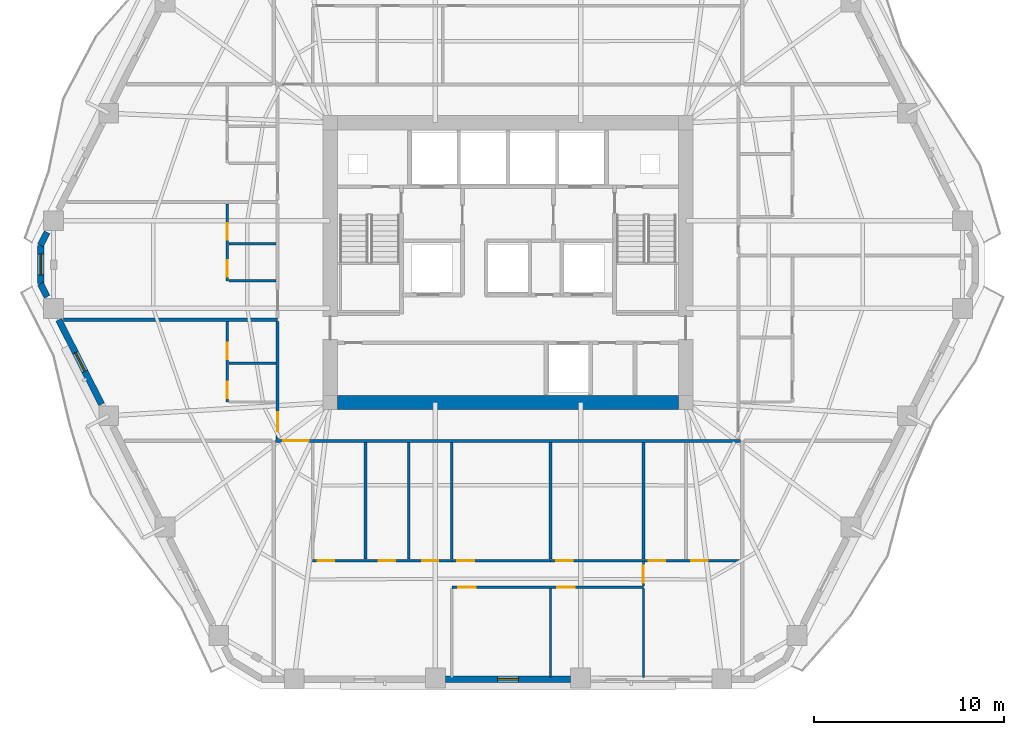
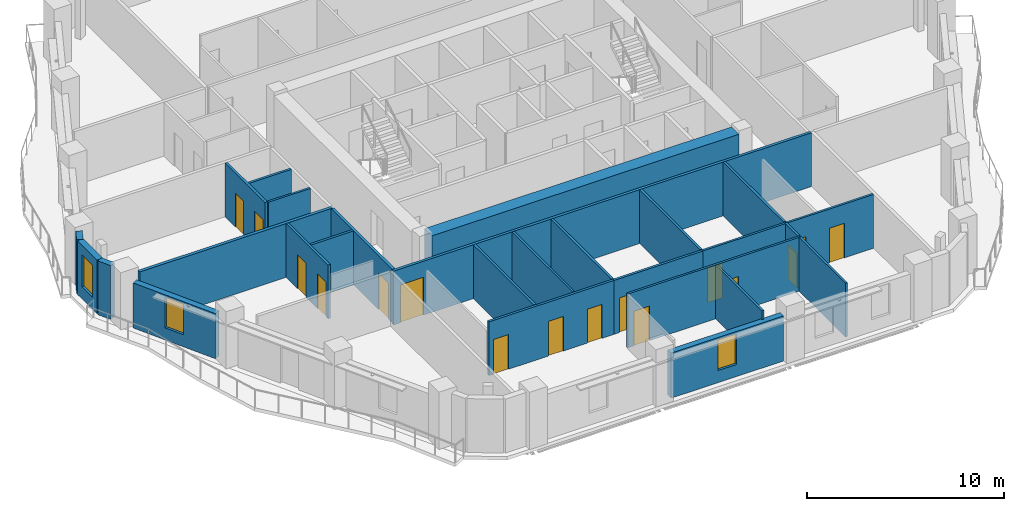
# One storey, part 4 of 12: 26 walls, 16 doors, 3 windows, 19 openings.
"""IFC4 building model written with IfcOpenShell, lengths in metres."""

from ifc_helpers import new_model, si_unit, direction, frame, frame_2d, origin, place, context, subcontext, project, spatial, rectangle, extrude, material, layer, layer_set, type_object, element, fill, save


model = new_model("IFC4")

# Units and contexts
model_context = context("Model", 3, precision=1e-05, world=origin(), true_north=direction((0.0, 1.0)))
body_context = subcontext(model_context, "Body", "Model", "MODEL_VIEW")
ifc_project = project(units=[si_unit("LENGTHUNIT", "METRE"), si_unit("AREAUNIT", "SQUARE_METRE"), si_unit("VOLUMEUNIT", "CUBIC_METRE"), si_unit("PLANEANGLEUNIT", "RADIAN"), si_unit("MASSUNIT", "GRAM", prefix="KILO")], contexts=[model_context])

# Site, building, storey
site_placement = place(None, origin())
site = spatial("IfcSite", under=ifc_project, at=site_placement, CompositionType="ELEMENT")
building_placement = place(site_placement, origin())
building = spatial("IfcBuilding", under=site, at=building_placement, Name="Cinnabar Lancet Tower", CompositionType="ELEMENT")
storey_placement = place(building_placement, frame((0.0, 0.0, 123.25)))
storey = spatial("IfcBuildingStorey", under=building, at=storey_placement, Name="L32", CompositionType="ELEMENT", Elevation=123.25)

# Wall, opening, door
ifc_material_1 = material(Name="Acoustic twin-stud gypsum partition", Category="gypsum")
ifc_layer_1 = layer(ifc_material_1, 0.159912109375)
ifc_layer_set_1 = layer_set([ifc_layer_1], Name="Acoustic twin-stud gypsum partition")
wall_type_1 = type_object("IfcWallType", Name="ARC-WL-CORR-160", PredefinedType="PARTITIONING", material=ifc_layer_set_1)
wall_1_placement = place(storey_placement, frame((20.14501953125, 16.5, 0.0), z_axis=(0.0, 0.0, 1.0), x_axis=(1.0, 0.0, 0.0)))
wall_1 = element("IfcWall", 1, at=wall_1_placement, inside=storey, type_object=wall_type_1, Name="L32 Unit S01 Corridor Wall", PredefinedType="PARTITIONING", context=body_context, shape_type="SweptSolid", body=[
    extrude(rectangle(XDim=24.510009765625, YDim=0.159912109375, at=frame_2d((12.2548828125, 0.0))), origin(), (0.0, 0.0, 1.0), 3.340087890625),
])
opening_1_placement = place(wall_1_placement, frame((0.405029296875, 0.0, 0.0)))
opening_1 = element("IfcOpeningElement", 2, at=opening_1_placement, cuts=wall_1, Name="Opening UD-02", PredefinedType="OPENING", context=body_context, shape_type="SweptSolid", body=[
    extrude(rectangle(XDim=1.35009765625, YDim=2.35009765625, at=frame_2d((0.675048828125, 1.175048828125))), frame((0.0, 0.08984375, 0.0), z_axis=(0.0, -1.0, 0.0), x_axis=(1.0, 0.0, 0.0)), (0.0, 0.0, 1.0), 0.179931640625),
])
ifc_material_2 = material(Name="Double-leaf solid timber penthouse entrance door", Category="wood")
door_type_1 = type_object("IfcDoorType", Name="ARC-DR-UNIT-PH", OperationType="NOTDEFINED", PredefinedType="DOOR", material=ifc_material_2)
door_1_placement = place(opening_1_placement, origin())
door_1 = element("IfcDoor", 3, at=door_1_placement, inside=storey, type_object=door_type_1, Name="DR-L32-S01-ENT", OperationType="SINGLE_SWING_LEFT", OverallHeight=2.35009765625, OverallWidth=1.35009765625, PredefinedType="DOOR", context=body_context, shape_type="SweptSolid", body=[
    extrude(rectangle(XDim=1.35009765625, YDim=2.35009765625, at=frame_2d((0.675048828125, 1.175048828125))), frame((0.0, 0.02490234375, 0.0), z_axis=(0.0, -1.0, 0.0), x_axis=(1.0, 0.0, 0.0)), (0.0, 0.0, 1.0), 0.050048828125),
])
fill(opening_1, door_1)

wall_2_placement = place(storey_placement, frame((20.25, 16.594970703125, 0.0), z_axis=(0.0, 0.0, 1.0), x_axis=(0.0, 1.0, 0.0)))
wall_2 = element("IfcWall", 4, at=wall_2_placement, inside=storey, type_object=wall_type_1, Name="UW-L32-W01-COR", PredefinedType="PARTITIONING", context=body_context, shape_type="SweptSolid", body=[
    extrude(rectangle(XDim=6.2021484375, YDim=0.159912109375, at=frame_2d((3.10107421875, 0.0))), origin(), (0.0, 0.0, 1.0), 3.340087890625),
])
opening_2_placement = place(wall_2_placement, frame((0.39990234375, 0.0, 0.0)))
opening_2 = element("IfcOpeningElement", 5, at=opening_2_placement, cuts=wall_2, Name="Opening UD-01", PredefinedType="OPENING", context=body_context, shape_type="SweptSolid", body=[
    extrude(rectangle(XDim=1.02001953125, YDim=2.25, at=frame_2d((0.510009765625, 1.125))), frame((0.0, 0.08984375, 0.0), z_axis=(0.0, -1.0, 0.0), x_axis=(1.0, 0.0, 0.0)), (0.0, 0.0, 1.0), 0.179931640625),
])
ifc_material_3 = material(Name="Solid timber fire-rated apartment entrance door", Category="wood")
door_type_2 = type_object("IfcDoorType", Name="ARC-DR-UNIT", OperationType="NOTDEFINED", PredefinedType="DOOR", material=ifc_material_3)
door_2_placement = place(opening_2_placement, origin())
door_2 = element("IfcDoor", 6, at=door_2_placement, inside=storey, type_object=door_type_2, Name="DR-L32-W01-ENT", OperationType="SINGLE_SWING_LEFT", OverallHeight=2.25, OverallWidth=1.02001953125, PredefinedType="DOOR", context=body_context, shape_type="SweptSolid", body=[
    extrude(rectangle(XDim=1.02001953125, YDim=2.25, at=frame_2d((0.510009765625, 1.125))), frame((0.0, 0.02490234375, 0.0), z_axis=(0.0, -1.0, 0.0), x_axis=(1.0, 0.0, 0.0)), (0.0, 0.0, 1.0), 0.050048828125),
])
fill(opening_2, door_2)

# Wall
ifc_material_4 = material(Name="Fire-rated twin-frame acoustic drywall", Category="gypsum")
ifc_layer_2 = layer(ifc_material_4, 0.179931640625)
ifc_layer_set_2 = layer_set([ifc_layer_2], Name="Fire-rated twin-frame acoustic drywall")
wall_type_2 = type_object("IfcWallType", Name="ARC-WL-PARTY-180", PredefinedType="PARTITIONING", material=ifc_layer_set_2)
wall_3_placement = place(storey_placement, frame((8.950927734375, 22.89208984375, 0.0), z_axis=(0.0, 0.0, 1.0), x_axis=(1.0, 0.0, 0.0)))
element("IfcWall", 7, at=wall_3_placement, inside=storey, type_object=wall_type_2, Name="PW-L32-WPTY-1", PredefinedType="PARTITIONING", context=body_context, shape_type="SweptSolid", body=[
    extrude(rectangle(XDim=11.299072265625, YDim=0.179931640625, at=frame_2d((5.6494140625, 0.0))), origin(), (0.0, 0.0, 1.0), 3.340087890625),
])

# Wall, openings, doors
ifc_material_5 = material(Name="Gypsum plasterboard stud partition", Category="gypsum")
ifc_layer_3 = layer(ifc_material_5, 0.125)
ifc_layer_set_3 = layer_set([ifc_layer_3], Name="Gypsum plasterboard stud partition")
wall_type_3 = type_object("IfcWallType", Name="ARC-WL-UNIT-125", PredefinedType="PARTITIONING", material=ifc_layer_set_3)
wall_4_placement = place(storey_placement, frame((34.64306640625, 10.178955078125, 0.0), z_axis=(0.0, 0.0, 1.0), x_axis=(1.0, 0.0, 0.0)))
wall_4 = element("IfcWall", 8, at=wall_4_placement, inside=storey, type_object=wall_type_3, Name="UW-L32-S01-SP2", PredefinedType="PARTITIONING", context=body_context, shape_type="SweptSolid", body=[
    extrude(rectangle(XDim=10.011962890625, YDim=0.125, at=frame_2d((5.005859375, 0.0))), origin(), (0.0, 0.0, 1.0), 3.340087890625),
])
opening_3_placement = place(wall_4_placement, frame((5.179931640625, 0.0, 0.0)))
opening_3 = element("IfcOpeningElement", 9, at=opening_3_placement, cuts=wall_4, Name="Opening BD-01", PredefinedType="OPENING", context=body_context, shape_type="SweptSolid", body=[
    extrude(rectangle(XDim=0.860107421875, YDim=2.10009765625, at=frame_2d((0.43017578125, 1.050048828125))), frame((0.0, 0.072509765625, 0.0), z_axis=(0.0, -1.0, 0.0), x_axis=(1.0, 0.0, 0.0)), (0.0, 0.0, 1.0), 0.14501953125),
])
opening_4_placement = place(wall_4_placement, frame((7.419921875, 0.0, 0.0)))
opening_4 = element("IfcOpeningElement", 10, at=opening_4_placement, cuts=wall_4, Name="Opening RD-02", PredefinedType="OPENING", context=body_context, shape_type="SweptSolid", body=[
    extrude(rectangle(XDim=0.8798828125, YDim=2.14990234375, at=frame_2d((0.43994140625, 1.074951171875))), frame((0.0, 0.072509765625, 0.0), z_axis=(0.0, -1.0, 0.0), x_axis=(1.0, 0.0, 0.0)), (0.0, 0.0, 1.0), 0.14501953125),
])
opening_5_placement = place(wall_4_placement, frame((0.300048828125, 0.0, 0.0)))
opening_5 = element("IfcOpeningElement", 11, at=opening_5_placement, cuts=wall_4, Name="Opening RD-02", PredefinedType="OPENING", context=body_context, shape_type="SweptSolid", body=[
    extrude(rectangle(XDim=0.8798828125, YDim=2.14990234375, at=frame_2d((0.43994140625, 1.074951171875))), frame((0.0, 0.072509765625, 0.0), z_axis=(0.0, -1.0, 0.0), x_axis=(1.0, 0.0, 0.0)), (0.0, 0.0, 1.0), 0.14501953125),
])
ifc_material_6 = material(Name="Moisture-resistant timber bathroom door", Category="wood")
door_type_3 = type_object("IfcDoorType", Name="ARC-DR-BATH", OperationType="NOTDEFINED", PredefinedType="DOOR", material=ifc_material_6)
door_3_placement = place(opening_3_placement, origin())
door_3 = element("IfcDoor", 12, at=door_3_placement, inside=storey, type_object=door_type_3, Name="DR-L32-S01-ENS", OperationType="SINGLE_SWING_RIGHT", OverallHeight=2.10009765625, OverallWidth=0.860107421875, PredefinedType="DOOR", context=body_context, shape_type="SweptSolid", body=[
    extrude(rectangle(XDim=0.860107421875, YDim=2.10009765625, at=frame_2d((0.43017578125, 1.050048828125))), frame((0.0, 0.02490234375, 0.0), z_axis=(0.0, -1.0, 0.0), x_axis=(1.0, 0.0, 0.0)), (0.0, 0.0, 1.0), 0.050048828125),
])
fill(opening_3, door_3)
ifc_material_7 = material(Name="Engineered timber study door", Category="wood")
door_type_4 = type_object("IfcDoorType", Name="ARC-DR-STUDY", OperationType="NOTDEFINED", PredefinedType="DOOR", material=ifc_material_7)
door_4_placement = place(opening_4_placement, origin())
door_4 = element("IfcDoor", 13, at=door_4_placement, inside=storey, type_object=door_type_4, Name="DR-L32-S01-ENS-WDR", OperationType="SINGLE_SWING_LEFT", OverallHeight=2.14990234375, OverallWidth=0.8798828125, PredefinedType="DOOR", context=body_context, shape_type="SweptSolid", body=[
    extrude(rectangle(XDim=0.8798828125, YDim=2.14990234375, at=frame_2d((0.43994140625, 1.074951171875))), frame((0.0, 0.02490234375, 0.0), z_axis=(0.0, -1.0, 0.0), x_axis=(1.0, 0.0, 0.0)), (0.0, 0.0, 1.0), 0.050048828125),
])
fill(opening_4, door_4)
door_5_placement = place(opening_5_placement, origin())
door_5 = element("IfcDoor", 14, at=door_5_placement, inside=storey, type_object=door_type_4, Name="DR-L32-S01-DRS", OperationType="SINGLE_SWING_LEFT", OverallHeight=2.14990234375, OverallWidth=0.8798828125, PredefinedType="DOOR", context=body_context, shape_type="SweptSolid", body=[
    extrude(rectangle(XDim=0.8798828125, YDim=2.14990234375, at=frame_2d((0.43994140625, 1.074951171875))), frame((0.0, 0.02490234375, 0.0), z_axis=(0.0, -1.0, 0.0), x_axis=(1.0, 0.0, 0.0)), (0.0, 0.0, 1.0), 0.050048828125),
])
fill(opening_5, door_5)

# Wall
wall_5_placement = place(storey_placement, frame((27.162109375, 10.283935546875, 0.0), z_axis=(0.0, 0.0, 1.0), x_axis=(0.0, 1.0, 0.0)))
element("IfcWall", 15, at=wall_5_placement, inside=storey, type_object=wall_type_3, Name="UW-L32-S01-STD", PredefinedType="PARTITIONING", context=body_context, shape_type="SweptSolid", body=[
    extrude(rectangle(XDim=6.131103515625, YDim=0.125, at=frame_2d((3.0654296875, 0.0))), origin(), (0.0, 0.0, 1.0), 3.340087890625),
])

# Wall, openings, doors
wall_6_placement = place(storey_placement, frame((29.43603515625, 8.779052734375, 0.0), z_axis=(0.0, 0.0, 1.0), x_axis=(1.0, 0.0, 0.0)))
wall_6 = element("IfcWall", 16, at=wall_6_placement, inside=storey, type_object=wall_type_3, Name="UW-L32-S01-HLN", PredefinedType="PARTITIONING", context=body_context, shape_type="SweptSolid", body=[
    extrude(rectangle(XDim=10.10693359375, YDim=0.125, at=frame_2d((5.053466796875, 0.0))), origin(), (0.0, 0.0, 1.0), 3.340087890625),
])
opening_6_placement = place(wall_6_placement, frame((0.35009765625, 0.0, 0.0)))
opening_6 = element("IfcOpeningElement", 17, at=opening_6_placement, cuts=wall_6, Name="Opening RD-01", PredefinedType="OPENING", context=body_context, shape_type="SweptSolid", body=[
    extrude(rectangle(XDim=0.919921875, YDim=2.14990234375, at=frame_2d((0.4599609375, 1.074951171875))), frame((0.0, 0.072509765625, 0.0), z_axis=(0.0, -1.0, 0.0), x_axis=(1.0, 0.0, 0.0)), (0.0, 0.0, 1.0), 0.14501953125),
])
opening_7_placement = place(wall_6_placement, frame((5.556884765625, 0.0, 0.0)))
opening_7 = element("IfcOpeningElement", 18, at=opening_7_placement, cuts=wall_6, Name="Opening RD-01", PredefinedType="OPENING", context=body_context, shape_type="SweptSolid", body=[
    extrude(rectangle(XDim=0.919921875, YDim=2.14990234375, at=frame_2d((0.4599609375, 1.074951171875))), frame((0.0, 0.072509765625, 0.0), z_axis=(0.0, -1.0, 0.0), x_axis=(1.0, 0.0, 0.0)), (0.0, 0.0, 1.0), 0.14501953125),
])
ifc_material_8 = material(Name="Engineered timber bedroom door", Category="wood")
door_type_5 = type_object("IfcDoorType", Name="ARC-DR-ROOM", OperationType="NOTDEFINED", PredefinedType="DOOR", material=ifc_material_8)
door_6_placement = place(opening_6_placement, origin())
door_6 = element("IfcDoor", 19, at=door_6_placement, inside=storey, type_object=door_type_5, Name="DR-L32-S01-BD2", OperationType="SINGLE_SWING_RIGHT", OverallHeight=2.14990234375, OverallWidth=0.919921875, PredefinedType="DOOR", context=body_context, shape_type="SweptSolid", body=[
    extrude(rectangle(XDim=0.919921875, YDim=2.14990234375, at=frame_2d((0.4599609375, 1.074951171875))), frame((0.0, 0.02490234375, 0.0), z_axis=(0.0, -1.0, 0.0), x_axis=(1.0, 0.0, 0.0)), (0.0, 0.0, 1.0), 0.050048828125),
])
fill(opening_6, door_6)
door_7_placement = place(opening_7_placement, origin())
door_7 = element("IfcDoor", 20, at=door_7_placement, inside=storey, type_object=door_type_5, Name="DR-L32-S01-BD3", OperationType="SINGLE_SWING_LEFT", OverallHeight=2.14990234375, OverallWidth=0.919921875, PredefinedType="DOOR", context=body_context, shape_type="SweptSolid", body=[
    extrude(rectangle(XDim=0.919921875, YDim=2.14990234375, at=frame_2d((0.4599609375, 1.074951171875))), frame((0.0, 0.02490234375, 0.0), z_axis=(0.0, -1.0, 0.0), x_axis=(1.0, 0.0, 0.0)), (0.0, 0.0, 1.0), 0.050048828125),
])
fill(opening_7, door_7)

# Wall, opening, door
wall_7_placement = place(storey_placement, frame((39.54296875, 8.84912109375, 0.0), z_axis=(0.0, 0.0, 1.0), x_axis=(0.0, 1.0, 0.0)))
wall_7 = element("IfcWall", 21, at=wall_7_placement, inside=storey, type_object=wall_type_3, Name="UW-L32-S01-MBE", PredefinedType="PARTITIONING", context=body_context, shape_type="SweptSolid", body=[
    extrude(rectangle(XDim=1.329833984375, YDim=0.125, at=frame_2d((0.6650390625, 0.0))), origin(), (0.0, 0.0, 1.0), 3.340087890625),
])
opening_8_placement = place(wall_7_placement, frame((0.159912109375, 0.0, 0.0)))
opening_8 = element("IfcOpeningElement", 22, at=opening_8_placement, cuts=wall_7, Name="Opening RD-01", PredefinedType="OPENING", context=body_context, shape_type="SweptSolid", body=[
    extrude(rectangle(XDim=0.919921875, YDim=2.14990234375, at=frame_2d((0.4599609375, 1.074951171875))), frame((0.0, 0.072509765625, 0.0), z_axis=(0.0, -1.0, 0.0), x_axis=(1.0, 0.0, 0.0)), (0.0, 0.0, 1.0), 0.14501953125),
])
door_8_placement = place(opening_8_placement, origin())
door_8 = element("IfcDoor", 23, at=door_8_placement, inside=storey, type_object=door_type_5, Name="DR-L32-S01-MBD", OperationType="SINGLE_SWING_RIGHT", OverallHeight=2.14990234375, OverallWidth=0.919921875, PredefinedType="DOOR", context=body_context, shape_type="SweptSolid", body=[
    extrude(rectangle(XDim=0.919921875, YDim=2.14990234375, at=frame_2d((0.4599609375, 1.074951171875))), frame((0.0, 0.02490234375, 0.0), z_axis=(0.0, -1.0, 0.0), x_axis=(1.0, 0.0, 0.0)), (0.0, 0.0, 1.0), 0.050048828125),
])
fill(opening_8, door_8)

# Walls
for number, where, z_axis, x_axis, name in (
    (24, (34.64306640625, 4.014892578125, 0.0), (0.0, 0.0, 1.0), (0.0, 1.0, 0.0), "UW-L32-S01-MB2W"),
    (25, (39.54296875, 4.014892578125, 0.0), (0.0, 0.0, 1.0), (0.0, 1.0, 0.0), "UW-L32-S01-B23W"),
):
    element("IfcWall", number, at=place(storey_placement, frame(where, z_axis=z_axis, x_axis=x_axis)), inside=storey, type_object=wall_type_3, Name=name, PredefinedType="PARTITIONING", context=body_context, shape_type="SweptSolid", body=[
        extrude(rectangle(XDim=4.69921875, YDim=0.125, at=frame_2d((2.349609375, 0.0))), origin(), (0.0, 0.0, 1.0), 3.340087890625),
    ])
wall_8_placement = place(storey_placement, frame((17.68505859375, 24.94189453125, 0.0), z_axis=(0.0, 0.0, 1.0), x_axis=(1.0, 0.0, 0.0)))
element("IfcWall", 26, at=wall_8_placement, inside=storey, type_object=wall_type_3, Name="UW-L32-W02-FOYN", PredefinedType="PARTITIONING", context=body_context, shape_type="SweptSolid", body=[
    extrude(rectangle(XDim=2.47998046875, YDim=0.125, at=frame_2d((1.239990234375, 0.0))), origin(), (0.0, 0.0, 1.0), 3.340087890625),
])

# Wall, openings, doors
ifc_material_9 = material(Name="Moisture-resistant cement-board plumbing wall", Category="masonry")
ifc_layer_4 = layer(ifc_material_9, 0.139892578125)
ifc_layer_set_4 = layer_set([ifc_layer_4], Name="Moisture-resistant cement-board plumbing wall")
wall_type_4 = type_object("IfcWallType", Name="ARC-WL-WET-140", PredefinedType="PLUMBINGWALL", material=ifc_layer_set_4)
wall_9_placement = place(storey_placement, frame((22.10009765625, 10.178955078125, 0.0), z_axis=(0.0, 0.0, 1.0), x_axis=(1.0, 0.0, 0.0)))
wall_9 = element("IfcWall", 27, at=wall_9_placement, inside=storey, type_object=wall_type_4, Name="UW-L32-S01-SPL", PredefinedType="PLUMBINGWALL", context=body_context, shape_type="SweptSolid", body=[
    extrude(rectangle(XDim=7.3359375, YDim=0.139892578125, at=frame_2d((3.66796875, 0.0))), origin(), (0.0, 0.0, 1.0), 3.340087890625),
])
opening_9_placement = place(wall_9_placement, frame((5.77392578125, 0.0, 0.0)))
opening_9 = element("IfcOpeningElement", 28, at=opening_9_placement, cuts=wall_9, Name="Opening BD-01", PredefinedType="OPENING", context=body_context, shape_type="SweptSolid", body=[
    extrude(rectangle(XDim=0.860107421875, YDim=2.10009765625, at=frame_2d((0.43017578125, 1.050048828125))), frame((0.0, 0.079833984375, 0.0), z_axis=(0.0, -1.0, 0.0), x_axis=(1.0, 0.0, 0.0)), (0.0, 0.0, 1.0), 0.159912109375),
])
opening_10_placement = place(wall_9_placement, frame((0.260009765625, 0.0, 0.0)))
opening_10 = element("IfcOpeningElement", 29, at=opening_10_placement, cuts=wall_9, Name="Opening RD-02", PredefinedType="OPENING", context=body_context, shape_type="SweptSolid", body=[
    extrude(rectangle(XDim=0.8798828125, YDim=2.14990234375, at=frame_2d((0.43994140625, 1.074951171875))), frame((0.0, 0.079833984375, 0.0), z_axis=(0.0, -1.0, 0.0), x_axis=(1.0, 0.0, 0.0)), (0.0, 0.0, 1.0), 0.159912109375),
])
opening_11_placement = place(wall_9_placement, frame((3.485107421875, 0.0, 0.0)))
opening_11 = element("IfcOpeningElement", 30, at=opening_11_placement, cuts=wall_9, Name="Opening RD-02", PredefinedType="OPENING", context=body_context, shape_type="SweptSolid", body=[
    extrude(rectangle(XDim=0.8798828125, YDim=2.14990234375, at=frame_2d((0.43994140625, 1.074951171875))), frame((0.0, 0.079833984375, 0.0), z_axis=(0.0, -1.0, 0.0), x_axis=(1.0, 0.0, 0.0)), (0.0, 0.0, 1.0), 0.159912109375),
])
door_9_placement = place(opening_9_placement, origin())
door_9 = element("IfcDoor", 31, at=door_9_placement, inside=storey, type_object=door_type_3, Name="DR-L32-S01-BTH", OperationType="SINGLE_SWING_RIGHT", OverallHeight=2.10009765625, OverallWidth=0.860107421875, PredefinedType="DOOR", context=body_context, shape_type="SweptSolid", body=[
    extrude(rectangle(XDim=0.860107421875, YDim=2.10009765625, at=frame_2d((0.43017578125, 1.050048828125))), frame((0.0, 0.02490234375, 0.0), z_axis=(0.0, -1.0, 0.0), x_axis=(1.0, 0.0, 0.0)), (0.0, 0.0, 1.0), 0.050048828125),
])
fill(opening_9, door_9)
door_10_placement = place(opening_10_placement, origin())
door_10 = element("IfcDoor", 32, at=door_10_placement, inside=storey, type_object=door_type_4, Name="DR-L32-S01-KIT", OperationType="SINGLE_SWING_RIGHT", OverallHeight=2.14990234375, OverallWidth=0.8798828125, PredefinedType="DOOR", context=body_context, shape_type="SweptSolid", body=[
    extrude(rectangle(XDim=0.8798828125, YDim=2.14990234375, at=frame_2d((0.43994140625, 1.074951171875))), frame((0.0, 0.02490234375, 0.0), z_axis=(0.0, -1.0, 0.0), x_axis=(1.0, 0.0, 0.0)), (0.0, 0.0, 1.0), 0.050048828125),
])
fill(opening_10, door_10)
door_11_placement = place(opening_11_placement, origin())
door_11 = element("IfcDoor", 33, at=door_11_placement, inside=storey, type_object=door_type_4, Name="DR-L32-S01-STD", OperationType="SINGLE_SWING_LEFT", OverallHeight=2.14990234375, OverallWidth=0.8798828125, PredefinedType="DOOR", context=body_context, shape_type="SweptSolid", body=[
    extrude(rectangle(XDim=0.8798828125, YDim=2.14990234375, at=frame_2d((0.43994140625, 1.074951171875))), frame((0.0, 0.02490234375, 0.0), z_axis=(0.0, -1.0, 0.0), x_axis=(1.0, 0.0, 0.0)), (0.0, 0.0, 1.0), 0.050048828125),
])
fill(opening_11, door_11)

# Wall, opening, door
wall_10_placement = place(storey_placement, frame((29.43603515625, 10.178955078125, 0.0), z_axis=(0.0, 0.0, 1.0), x_axis=(1.0, 0.0, 0.0)))
wall_10 = element("IfcWall", 34, at=wall_10_placement, inside=storey, type_object=wall_type_4, Name="UW-L32-S01-SPM", PredefinedType="PLUMBINGWALL", context=body_context, shape_type="SweptSolid", body=[
    extrude(rectangle(XDim=5.20703125, YDim=0.139892578125, at=frame_2d((2.603515625, 0.0))), origin(), (0.0, 0.0, 1.0), 3.340087890625),
])
opening_12_placement = place(wall_10_placement, frame((0.300048828125, 0.0, 0.0)))
opening_12 = element("IfcOpeningElement", 35, at=opening_12_placement, cuts=wall_10, Name="Opening RD-02", PredefinedType="OPENING", context=body_context, shape_type="SweptSolid", body=[
    extrude(rectangle(XDim=0.8798828125, YDim=2.14990234375, at=frame_2d((0.43994140625, 1.074951171875))), frame((0.0, 0.079833984375, 0.0), z_axis=(0.0, -1.0, 0.0), x_axis=(1.0, 0.0, 0.0)), (0.0, 0.0, 1.0), 0.159912109375),
])
door_12_placement = place(opening_12_placement, origin())
door_12 = element("IfcDoor", 36, at=door_12_placement, inside=storey, type_object=door_type_4, Name="DR-L32-S01-UTL", OperationType="SINGLE_SWING_LEFT", OverallHeight=2.14990234375, OverallWidth=0.8798828125, PredefinedType="DOOR", context=body_context, shape_type="SweptSolid", body=[
    extrude(rectangle(XDim=0.8798828125, YDim=2.14990234375, at=frame_2d((0.43994140625, 1.074951171875))), frame((0.0, 0.02490234375, 0.0), z_axis=(0.0, -1.0, 0.0), x_axis=(1.0, 0.0, 0.0)), (0.0, 0.0, 1.0), 0.050048828125),
])
fill(opening_12, door_12)

# Walls
for number, where, z_axis, x_axis, name in (
    (37, (24.887939453125, 10.283935546875, 0.0), (0.0, 0.0, 1.0), (0.0, 1.0, 0.0), "UW-L32-S01-KDV"),
    (38, (29.43603515625, 10.283935546875, 0.0), (0.0, 0.0, 1.0), (0.0, 1.0, 0.0), "UW-L32-S01-ENSW"),
    (39, (34.64306640625, 10.283935546875, 0.0), (0.0, 0.0, 1.0), (0.0, 1.0, 0.0), "UW-L32-S01-ENSE"),
    (40, (39.54296875, 10.283935546875, 0.0), (0.0, 0.0, 1.0), (0.0, 1.0, 0.0), "UW-L32-S01-UT3"),
):
    element("IfcWall", number, at=place(storey_placement, frame(where, z_axis=z_axis, x_axis=x_axis)), inside=storey, type_object=wall_type_4, Name=name, PredefinedType="PLUMBINGWALL", context=body_context, shape_type="SweptSolid", body=[
        extrude(rectangle(XDim=6.131103515625, YDim=0.139892578125, at=frame_2d((3.0654296875, 0.0))), origin(), (0.0, 0.0, 1.0), 3.340087890625),
    ])

# Wall, openings, doors
wall_11_placement = place(storey_placement, frame((17.60009765625, 18.550048828125, 0.0), z_axis=(0.0, 0.0, 1.0), x_axis=(0.0, 1.0, 0.0)))
wall_11 = element("IfcWall", 41, at=wall_11_placement, inside=storey, type_object=wall_type_4, Name="UW-L32-W01-SPL", PredefinedType="PLUMBINGWALL", context=body_context, shape_type="SweptSolid", body=[
    extrude(rectangle(XDim=4.2470703125, YDim=0.139892578125, at=frame_2d((2.12353515625, 0.0))), origin(), (0.0, 0.0, 1.0), 3.340087890625),
])
opening_13_placement = place(wall_11_placement, frame((2.259033203125, 0.0, 0.0)))
opening_13 = element("IfcOpeningElement", 42, at=opening_13_placement, cuts=wall_11, Name="Opening BD-01", PredefinedType="OPENING", context=body_context, shape_type="SweptSolid", body=[
    extrude(rectangle(XDim=0.860107421875, YDim=2.10009765625, at=frame_2d((0.43017578125, 1.050048828125))), frame((0.0, 0.079833984375, 0.0), z_axis=(0.0, -1.0, 0.0), x_axis=(1.0, 0.0, 0.0)), (0.0, 0.0, 1.0), 0.159912109375),
])
opening_14_placement = place(wall_11_placement, frame((0.199951171875, 0.0, 0.0)))
opening_14 = element("IfcOpeningElement", 43, at=opening_14_placement, cuts=wall_11, Name="Opening RD-02", PredefinedType="OPENING", context=body_context, shape_type="SweptSolid", body=[
    extrude(rectangle(XDim=0.8798828125, YDim=2.14990234375, at=frame_2d((0.43994140625, 1.074951171875))), frame((0.0, 0.079833984375, 0.0), z_axis=(0.0, -1.0, 0.0), x_axis=(1.0, 0.0, 0.0)), (0.0, 0.0, 1.0), 0.159912109375),
])
door_13_placement = place(opening_13_placement, origin())
door_13 = element("IfcDoor", 44, at=door_13_placement, inside=storey, type_object=door_type_3, Name="DR-L32-W01-BTH", OperationType="SINGLE_SWING_LEFT", OverallHeight=2.10009765625, OverallWidth=0.860107421875, PredefinedType="DOOR", context=body_context, shape_type="SweptSolid", body=[
    extrude(rectangle(XDim=0.860107421875, YDim=2.10009765625, at=frame_2d((0.43017578125, 1.050048828125))), frame((0.0, 0.02490234375, 0.0), z_axis=(0.0, -1.0, 0.0), x_axis=(1.0, 0.0, 0.0)), (0.0, 0.0, 1.0), 0.050048828125),
])
fill(opening_13, door_13)
door_14_placement = place(opening_14_placement, origin())
door_14 = element("IfcDoor", 45, at=door_14_placement, inside=storey, type_object=door_type_4, Name="DR-L32-W01-KIT", OperationType="SINGLE_SWING_RIGHT", OverallHeight=2.14990234375, OverallWidth=0.8798828125, PredefinedType="DOOR", context=body_context, shape_type="SweptSolid", body=[
    extrude(rectangle(XDim=0.8798828125, YDim=2.14990234375, at=frame_2d((0.43994140625, 1.074951171875))), frame((0.0, 0.02490234375, 0.0), z_axis=(0.0, -1.0, 0.0), x_axis=(1.0, 0.0, 0.0)), (0.0, 0.0, 1.0), 0.050048828125),
])
fill(opening_14, door_14)

# Wall
wall_12_placement = place(storey_placement, frame((17.68505859375, 20.589111328125, 0.0), z_axis=(0.0, 0.0, 1.0), x_axis=(1.0, 0.0, 0.0)))
element("IfcWall", 46, at=wall_12_placement, inside=storey, type_object=wall_type_4, Name="UW-L32-W01-KDV", PredefinedType="PLUMBINGWALL", context=body_context, shape_type="SweptSolid", body=[
    extrude(rectangle(XDim=2.47998046875, YDim=0.139892578125, at=frame_2d((1.239990234375, 0.0))), origin(), (0.0, 0.0, 1.0), 3.340087890625),
])

# Wall, openings, doors
wall_13_placement = place(storey_placement, frame((17.60009765625, 24.94189453125, 0.0), z_axis=(0.0, 0.0, 1.0), x_axis=(0.0, 1.0, 0.0)))
wall_13 = element("IfcWall", 47, at=wall_13_placement, inside=storey, type_object=wall_type_4, Name="UW-L32-W02-SPL", PredefinedType="PLUMBINGWALL", context=body_context, shape_type="SweptSolid", body=[
    extrude(rectangle(XDim=4.05908203125, YDim=0.139892578125, at=frame_2d((2.029541015625, 0.0))), origin(), (0.0, 0.0, 1.0), 3.340087890625),
])
opening_15_placement = place(wall_13_placement, frame((2.16796875, 0.0, 0.0)))
opening_15 = element("IfcOpeningElement", 48, at=opening_15_placement, cuts=wall_13, Name="Opening BD-01", PredefinedType="OPENING", context=body_context, shape_type="SweptSolid", body=[
    extrude(rectangle(XDim=0.860107421875, YDim=2.10009765625, at=frame_2d((0.43017578125, 1.050048828125))), frame((0.0, 0.079833984375, 0.0), z_axis=(0.0, -1.0, 0.0), x_axis=(1.0, 0.0, 0.0)), (0.0, 0.0, 1.0), 0.159912109375),
])
opening_16_placement = place(wall_13_placement, frame((0.199951171875, 0.0, 0.0)))
opening_16 = element("IfcOpeningElement", 49, at=opening_16_placement, cuts=wall_13, Name="Opening RD-02", PredefinedType="OPENING", context=body_context, shape_type="SweptSolid", body=[
    extrude(rectangle(XDim=0.8798828125, YDim=2.14990234375, at=frame_2d((0.43994140625, 1.074951171875))), frame((0.0, 0.079833984375, 0.0), z_axis=(0.0, -1.0, 0.0), x_axis=(1.0, 0.0, 0.0)), (0.0, 0.0, 1.0), 0.159912109375),
])
door_15_placement = place(opening_15_placement, origin())
door_15 = element("IfcDoor", 50, at=door_15_placement, inside=storey, type_object=door_type_3, Name="DR-L32-W02-BTH", OperationType="SINGLE_SWING_RIGHT", OverallHeight=2.10009765625, OverallWidth=0.860107421875, PredefinedType="DOOR", context=body_context, shape_type="SweptSolid", body=[
    extrude(rectangle(XDim=0.860107421875, YDim=2.10009765625, at=frame_2d((0.43017578125, 1.050048828125))), frame((0.0, 0.02490234375, 0.0), z_axis=(0.0, -1.0, 0.0), x_axis=(1.0, 0.0, 0.0)), (0.0, 0.0, 1.0), 0.050048828125),
])
fill(opening_15, door_15)
door_16_placement = place(opening_16_placement, origin())
door_16 = element("IfcDoor", 51, at=door_16_placement, inside=storey, type_object=door_type_4, Name="DR-L32-W02-KIT", OperationType="SINGLE_SWING_LEFT", OverallHeight=2.14990234375, OverallWidth=0.8798828125, PredefinedType="DOOR", context=body_context, shape_type="SweptSolid", body=[
    extrude(rectangle(XDim=0.8798828125, YDim=2.14990234375, at=frame_2d((0.43994140625, 1.074951171875))), frame((0.0, 0.02490234375, 0.0), z_axis=(0.0, -1.0, 0.0), x_axis=(1.0, 0.0, 0.0)), (0.0, 0.0, 1.0), 0.050048828125),
])
fill(opening_16, door_16)

# Wall
wall_14_placement = place(storey_placement, frame((17.68505859375, 26.889892578125, 0.0), z_axis=(0.0, 0.0, 1.0), x_axis=(1.0, 0.0, 0.0)))
element("IfcWall", 52, at=wall_14_placement, inside=storey, type_object=wall_type_4, Name="UW-L32-W02-KDV", PredefinedType="PLUMBINGWALL", context=body_context, shape_type="SweptSolid", body=[
    extrude(rectangle(XDim=2.47998046875, YDim=0.139892578125, at=frame_2d((1.239990234375, 0.0))), origin(), (0.0, 0.0, 1.0), 3.340087890625),
])

# Wall, opening, window
ifc_material_10 = material(Name="Cinnabar red clay brick", Category="masonry")
ifc_layer_5 = layer(ifc_material_10, 0.340087890625)
ifc_layer_set_5 = layer_set([ifc_layer_5], Name="Cinnabar red clay brick")
wall_type_5 = type_object("IfcWallType", Name="ENV-WL-BRK-RED-340", PredefinedType="STANDARD", material=ifc_layer_set_5)
wall_15_placement = place(storey_placement, frame((7.76708984375, 26.797119140625, 0.0), z_axis=(0.0, 0.0, 1.0), x_axis=(0.0, -1.0, 0.0)))
wall_15 = element("IfcWall", 53, at=wall_15_placement, inside=storey, type_object=wall_type_5, Name="L32 Chamfered Corner Brick Pier 6.1", PredefinedType="STANDARD", context=body_context, shape_type="SweptSolid", body=[
    extrude(rectangle(XDim=1.994140625, YDim=0.340087890625, at=frame_2d((0.9970703125, 0.0))), origin(), (0.0, 0.0, 1.0), 3.340087890625),
])
opening_17_placement = place(wall_15_placement, frame((0.447021484375, 0.0, 0.75)))
opening_17 = element("IfcOpeningElement", 54, at=opening_17_placement, cuts=wall_15, Name="Opening WN-04", PredefinedType="OPENING", context=body_context, shape_type="SweptSolid", body=[
    extrude(rectangle(XDim=1.10009765625, YDim=2.0, at=frame_2d((0.550048828125, 1.0))), frame((0.0, 0.179931640625, 0.0), z_axis=(0.0, -1.0, 0.0), x_axis=(1.0, 0.0, 0.0)), (0.0, 0.0, 1.0), 0.360107421875),
])
ifc_material_11 = material(Name="Thermally broken bronze-anodized aluminium tall lancet window", Category="aluminium")
window_type = type_object("IfcWindowType", Name="ENV-WN-LANCET-1100", PartitioningType="SINGLE_PANEL", PredefinedType="WINDOW", material=ifc_material_11)
window_1_placement = place(opening_17_placement, origin())
window_1 = element("IfcWindow", 55, at=window_1_placement, inside=storey, type_object=window_type, Name="L32 Dwelling Gothic Lancet Window 322", OverallHeight=2.0, OverallWidth=1.10009765625, PartitioningType="SINGLE_PANEL", PredefinedType="WINDOW", context=body_context, shape_type="SweptSolid", body=[
    extrude(rectangle(XDim=1.10009765625, YDim=2.0, at=frame_2d((0.550048828125, 1.0))), frame((0.0, 0.030029296875, 0.0), z_axis=(0.0, -1.0, 0.0), x_axis=(1.0, 0.0, 0.0)), (0.0, 0.0, 1.0), 0.06005859375),
])
fill(opening_17, window_1)

wall_16_placement = place(storey_placement, frame((29.096923828125, 3.929931640625, 0.0), z_axis=(0.0, 0.0, 1.0), x_axis=(1.0, 0.0, 0.0)))
wall_16 = element("IfcWall", 56, at=wall_16_placement, inside=storey, type_object=wall_type_5, Name="L32 Face 1 Masonry Bay Wall 3", PredefinedType="STANDARD", context=body_context, shape_type="SweptSolid", body=[
    extrude(rectangle(XDim=6.60595703125, YDim=0.340087890625, at=frame_2d((3.302978515625, 0.0))), origin(), (0.0, 0.0, 1.0), 2.797119140625),
])
opening_18_placement = place(wall_16_placement, frame((2.7529296875, 0.0, 0.75)))
opening_18 = element("IfcOpeningElement", 57, at=opening_18_placement, cuts=wall_16, Name="Opening WN-04", PredefinedType="OPENING", context=body_context, shape_type="SweptSolid", body=[
    extrude(rectangle(XDim=1.10009765625, YDim=1.89697265625, at=frame_2d((0.550048828125, 0.948486328125))), frame((0.0, 0.179931640625, 0.0), z_axis=(0.0, -1.0, 0.0), x_axis=(1.0, 0.0, 0.0)), (0.0, 0.0, 1.0), 0.360107421875),
])
window_2_placement = place(opening_18_placement, origin())
window_2 = element("IfcWindow", 58, at=window_2_placement, inside=storey, type_object=window_type, Name="L32 Face 1 Gothic Lancet Window 3", OverallHeight=1.89697265625, OverallWidth=1.10009765625, PartitioningType="SINGLE_PANEL", PredefinedType="WINDOW", context=body_context, shape_type="SweptSolid", body=[
    extrude(rectangle(XDim=1.10009765625, YDim=1.89697265625, at=frame_2d((0.550048828125, 0.948486328125))), frame((0.0, 0.030029296875, 0.0), z_axis=(0.0, -1.0, 0.0), x_axis=(1.0, 0.0, 0.0)), (0.0, 0.0, 1.0), 0.06005859375),
])
fill(opening_18, window_2)

# Walls
for number, where, z_axis, x_axis, name in (
    (59, (8.10009765625, 27.5029296875, 0.0), (0.0, 0.0, 1.0), (-0.451819324107, -0.89210946546, 0.0), "L32 Face 5 Masonry Bay Wall 5"),
    (60, (7.74609375, 24.7958984375, 0.0), (0.0, 0.0, 1.0), (0.451819324107, -0.89210946546, 0.0), "L32 Face 6 Masonry Bay Wall 1"),
):
    element("IfcWall", number, at=place(storey_placement, frame(where, z_axis=z_axis, x_axis=x_axis)), inside=storey, type_object=wall_type_5, Name=name, PredefinedType="STANDARD", context=body_context, shape_type="SweptSolid", body=[
        extrude(rectangle(XDim=0.783447265625, YDim=0.340087890625, at=frame_2d((0.3916015625, 0.0))), origin(), (0.0, 0.0, 1.0), 3.340087890625),
    ])

# Wall, opening, window
wall_17_placement = place(storey_placement, frame((8.712890625, 22.885009765625, 0.0), z_axis=(0.0, 0.0, 1.0), x_axis=(0.451470533039, -0.892286029139, 0.0)))
wall_17 = element("IfcWall", 61, at=wall_17_placement, inside=storey, type_object=wall_type_5, Name="L32 Face 6 Masonry Bay Wall 2", PredefinedType="STANDARD", context=body_context, shape_type="SweptSolid", body=[
    extrude(rectangle(XDim=4.9951171875, YDim=0.340087890625, at=frame_2d((2.49755859375, 0.0))), origin(), (0.0, 0.0, 1.0), 2.797119140625),
])
opening_19_placement = place(wall_17_placement, frame((1.947021484375, 0.0, 0.75)))
opening_19 = element("IfcOpeningElement", 62, at=opening_19_placement, cuts=wall_17, Name="Opening WN-04", PredefinedType="OPENING", context=body_context, shape_type="SweptSolid", body=[
    extrude(rectangle(XDim=1.10009765625, YDim=1.89697265625, at=frame_2d((0.550048828125, 0.948486328125))), frame((0.0, 0.179931640625, 0.0), z_axis=(0.0, -1.0, 0.0), x_axis=(1.0, 0.0, 0.0)), (0.0, 0.0, 1.0), 0.360107421875),
])
window_3_placement = place(opening_19_placement, origin())
window_3 = element("IfcWindow", 63, at=window_3_placement, inside=storey, type_object=window_type, Name="L32 Face 6 Gothic Lancet Window 2", OverallHeight=1.89697265625, OverallWidth=1.10009765625, PartitioningType="SINGLE_PANEL", PredefinedType="WINDOW", context=body_context, shape_type="SweptSolid", body=[
    extrude(rectangle(XDim=1.10009765625, YDim=1.89697265625, at=frame_2d((0.550048828125, 0.948486328125))), frame((0.0, 0.030029296875, 0.0), z_axis=(0.0, -1.0, 0.0), x_axis=(1.0, 0.0, 0.0)), (0.0, 0.0, 1.0), 0.06005859375),
])
fill(opening_19, window_3)

# Wall
ifc_material_12 = material(Name="Concrete C70/85", Category="concrete")
ifc_layer_6 = layer(ifc_material_12, 0.75)
ifc_layer_set_6 = layer_set([ifc_layer_6], Name="Concrete C70/85")
wall_type_6 = type_object("IfcWallType", Name="STR-WL-CORE-750", PredefinedType="SHEAR", material=ifc_layer_set_6)
wall_18_placement = place(storey_placement, frame((23.39990234375, 18.52490234375, 0.0), z_axis=(0.0, 0.0, 1.0), x_axis=(1.0, 0.0, 0.0)))
element("IfcWall", 64, at=wall_18_placement, inside=storey, type_object=wall_type_6, Name="L32 Core Shear Wall S", PredefinedType="SHEAR", context=body_context, shape_type="SweptSolid", body=[
    extrude(rectangle(XDim=18.0, YDim=0.75, at=frame_2d((9.0, 0.0))), origin(), (0.0, 0.0, 1.0), 3.340087890625),
])

save(model, "model.ifc")
